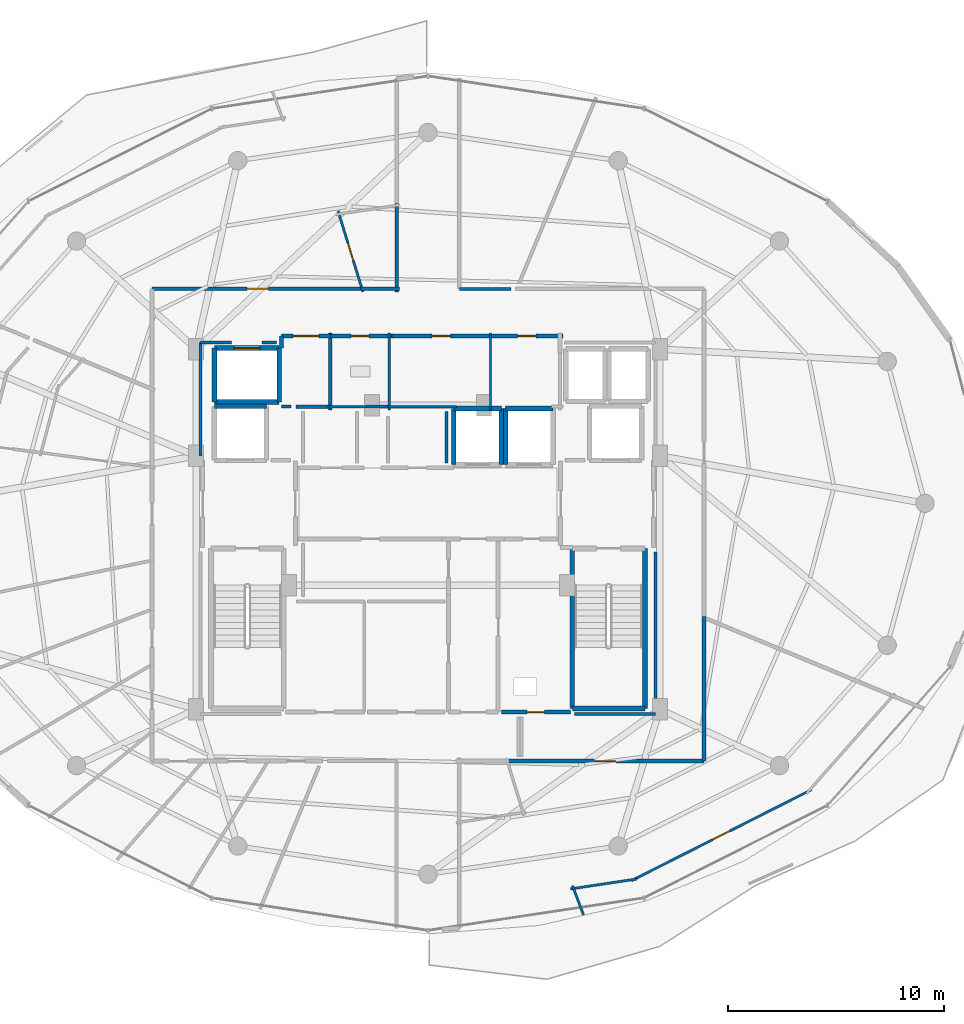
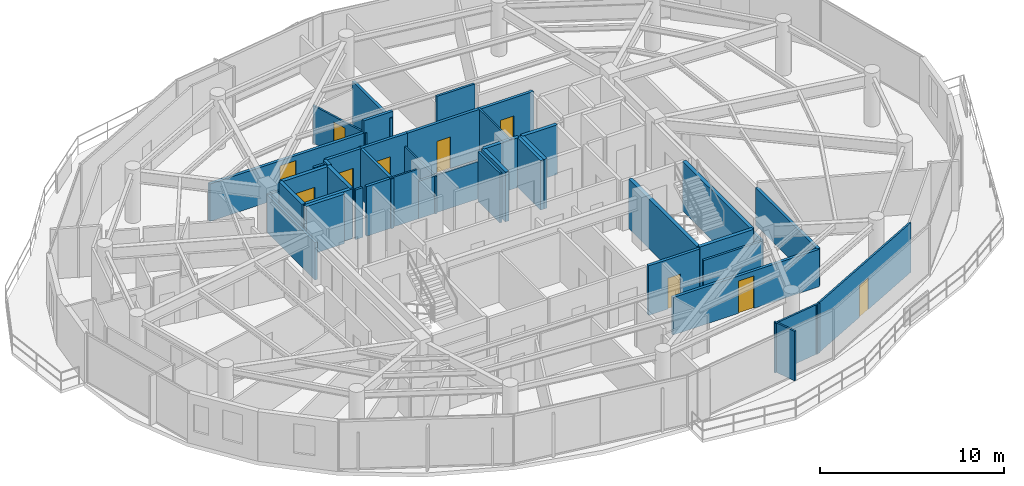
# One storey, part 24 of 30: 43 walls, 10 doors, 10 openings.
"""IFC4 building model written with IfcOpenShell, lengths in metres."""

from ifc_helpers import new_model, si_unit, direction, frame, frame_2d, origin, place, context, subcontext, project, spatial, rectangle, extrude, material, layer, layer_set, type_object, element, fill, save


model = new_model("IFC4")

# Units and contexts
model_context = context("Model", 3, precision=1e-05, world=origin(), true_north=direction((0.0, 1.0)))
body_context = subcontext(model_context, "Body", "Model", "MODEL_VIEW")
ifc_project = project(units=[si_unit("LENGTHUNIT", "METRE"), si_unit("AREAUNIT", "SQUARE_METRE"), si_unit("VOLUMEUNIT", "CUBIC_METRE"), si_unit("PLANEANGLEUNIT", "RADIAN"), si_unit("MASSUNIT", "GRAM", prefix="KILO")], contexts=[model_context])

# Site, building, storey
site_placement = place(None, origin())
site = spatial("IfcSite", under=ifc_project, at=site_placement, CompositionType="ELEMENT")
building_placement = place(site_placement, origin())
building = spatial("IfcBuilding", under=site, at=building_placement, Name="Vorneva Point Tower", CompositionType="ELEMENT")
storey_placement = place(building_placement, frame((0.0, 0.0, 234.25)))
storey = spatial("IfcBuildingStorey", under=building, at=storey_placement, Name="L63", CompositionType="ELEMENT", Elevation=234.25)

# Walls
ifc_material_1 = material(Name="Concrete B60 (C50/60)", Category="concrete")
ifc_layer_1 = layer(ifc_material_1, 0.35009765625)
ifc_layer_set_1 = layer_set([ifc_layer_1], Name="Concrete B60 (C50/60)")
wall_type_1 = type_object("IfcWallType", Name="WL-CORE-350", PredefinedType="SHEAR", material=ifc_layer_set_1)
wall_1_placement = place(storey_placement, frame((30.5, 30.5, 0.0), z_axis=(0.0, 0.0, 1.0), x_axis=(-1.0, 0.0, 0.0)))
element("IfcWall", 1, at=wall_1_placement, inside=storey, type_object=wall_type_1, Name="L63 Lift FFL1 Shaft Wall +Y", PredefinedType="SHEAR", context=body_context, shape_type="SweptSolid", body=[
    extrude(rectangle(XDim=2.39990234375, YDim=0.219970703125, at=frame_2d((1.199951171875, 0.0))), origin(), (0.0, 0.0, 1.0), 3.2900390625),
])
ifc_material_2 = material(Name="Fire-rated acoustic gypsum stud partition", Category="gypsum")
ifc_layer_2 = layer(ifc_material_2, 0.110107421875)
ifc_layer_set_2 = layer_set([ifc_layer_2], Name="Fire-rated acoustic gypsum stud partition")
wall_type_2 = type_object("IfcWallType", Name="WL-PART-110", PredefinedType="PARTITIONING", material=ifc_layer_set_2)
wall_2_placement = place(storey_placement, frame((36.199951171875, 30.340087890625, 0.0), z_axis=(0.0, 0.0, 1.0), x_axis=(0.0, 1.0, 0.0)))
element("IfcWall", 2, at=wall_2_placement, inside=storey, type_object=wall_type_2, Name="L63 Interior Partition 020", PredefinedType="PARTITIONING", context=body_context, shape_type="SweptSolid", body=[
    extrude(rectangle(XDim=3.559814453125, YDim=0.110107421875, at=frame_2d((1.77978515625, 0.0))), origin(), (0.0, 0.0, 1.0), 2.48193359375),
])
wall_3_placement = place(storey_placement, frame((33.360107421875, 30.47998046875, 0.0), z_axis=(0.0, 0.0, 1.0), x_axis=(1.0, 0.0, 0.0)))
element("IfcWall", 3, at=wall_3_placement, inside=storey, type_object=wall_type_2, Name="L63 Interior Partition 021", PredefinedType="PARTITIONING", context=body_context, shape_type="SweptSolid", body=[
    extrude(rectangle(XDim=1.809814453125, YDim=0.110107421875, at=frame_2d((0.90478515625, 0.0))), origin(), (0.0, 0.0, 1.0), 3.2900390625),
])
wall_4_placement = place(storey_placement, frame((40.89990234375, 30.340087890625, 0.0), z_axis=(0.0, 0.0, 1.0), x_axis=(0.0, 1.0, 0.0)))
element("IfcWall", 4, at=wall_4_placement, inside=storey, type_object=wall_type_2, Name="L63 Interior Partition 023", PredefinedType="PARTITIONING", context=body_context, shape_type="SweptSolid", body=[
    extrude(rectangle(XDim=3.559814453125, YDim=0.110107421875, at=frame_2d((1.77978515625, 0.0))), origin(), (0.0, 0.0, 1.0), 3.2900390625),
])
wall_5_placement = place(storey_placement, frame((36.110107421875, 30.47998046875, 0.0), z_axis=(0.0, 0.0, 1.0), x_axis=(1.0, 0.0, 0.0)))
element("IfcWall", 5, at=wall_5_placement, inside=storey, type_object=wall_type_2, Name="L63 Interior Partition 024", PredefinedType="PARTITIONING", context=body_context, shape_type="SweptSolid", body=[
    extrude(rectangle(XDim=3.2099609375, YDim=0.110107421875, at=frame_2d((1.60498046875, 0.0))), origin(), (0.0, 0.0, 1.0), 2.48193359375),
])

# Wall, opening, door
wall_6_placement = place(storey_placement, frame((34.980224609375, 35.816162109375, 0.0), z_axis=(0.0, 0.0, 1.0), x_axis=(-0.29406827714, 0.955784415221, 0.0)))
wall_6 = element("IfcWall", 6, at=wall_6_placement, inside=storey, type_object=wall_type_2, Name="L63 Interior Partition 056", PredefinedType="PARTITIONING", context=body_context, shape_type="SweptSolid", body=[
    extrude(rectangle(XDim=3.9052734375, YDim=0.110107421875, at=frame_2d((1.95263671875, 0.0))), origin(), (0.0, 0.0, 1.0), 2.48193359375),
])
opening_1_placement = place(wall_6_placement, frame((1.527587890625, 0.0, 0.0)))
opening_1 = element("IfcOpeningElement", 7, at=opening_1_placement, cuts=wall_6, Name="Opening ID-02", PredefinedType="OPENING", context=body_context, shape_type="SweptSolid", body=[
    extrude(rectangle(XDim=0.85009765625, YDim=2.10009765625, at=frame_2d((0.425048828125, 1.050048828125))), frame((0.0, 0.06982421875, 0.0), z_axis=(0.0, -1.0, 0.0), x_axis=(1.0, 0.0, 0.0)), (0.0, 0.0, 1.0), 0.139892578125),
])
ifc_material_3 = material(Name="Engineered oak fire-rated door leaf", Category="wood")
door_type_1 = type_object("IfcDoorType", Name="DR-BATH-850", OperationType="NOTDEFINED", PredefinedType="DOOR", material=ifc_material_3)
door_1_placement = place(opening_1_placement, origin())
door_1 = element("IfcDoor", 8, at=door_1_placement, inside=storey, type_object=door_type_1, Name="L63 Door Studio Apartment L63-01 / Bathroom L63-01", OperationType="SINGLE_SWING_LEFT", OverallHeight=2.10009765625, OverallWidth=0.85009765625, PredefinedType="DOOR", context=body_context, shape_type="SweptSolid", body=[
    extrude(rectangle(XDim=0.85009765625, YDim=2.10009765625, at=frame_2d((0.425048828125, 1.050048828125))), frame((0.0, 0.02490234375, 0.0), z_axis=(0.0, -1.0, 0.0), x_axis=(1.0, 0.0, 0.0)), (0.0, 0.0, 1.0), 0.050048828125),
])
fill(opening_1, door_1)

# Wall
wall_7_placement = place(storey_placement, frame((44.610595703125, 8.1181640625, 0.0), z_axis=(0.0, 0.0, 1.0), x_axis=(0.988858596585, 0.148857905265, 0.0)))
element("IfcWall", 9, at=wall_7_placement, inside=storey, type_object=wall_type_2, Name="L63 Interior Partition 087", PredefinedType="PARTITIONING", context=body_context, shape_type="SweptSolid", body=[
    extrude(rectangle(XDim=3.114501953125, YDim=0.110107421875, at=frame_2d((1.55712890625, 0.0))), origin(), (0.0, 0.0, 1.0), 3.2900390625),
])

# Wall, opening, door
wall_8_placement = place(storey_placement, frame((47.427001953125, 8.497802734375, 0.0), z_axis=(0.0, 0.0, 1.0), x_axis=(0.892502876412, 0.451041700507, 0.0)))
wall_8 = element("IfcWall", 10, at=wall_8_placement, inside=storey, type_object=wall_type_2, Name="L63 Interior Partition 088", PredefinedType="PARTITIONING", context=body_context, shape_type="SweptSolid", body=[
    extrude(rectangle(XDim=9.352294921875, YDim=0.110107421875, at=frame_2d((4.67626953125, 0.0))), origin(), (0.0, 0.0, 1.0), 3.2900390625),
])
opening_2_placement = place(wall_8_placement, frame((4.226318359375, 0.0, 0.0)))
opening_2 = element("IfcOpeningElement", 11, at=opening_2_placement, cuts=wall_8, Name="Opening ID-01", PredefinedType="OPENING", context=body_context, shape_type="SweptSolid", body=[
    extrude(rectangle(XDim=0.89990234375, YDim=2.10009765625, at=frame_2d((0.449951171875, 1.050048828125))), frame((0.0, 0.06982421875, 0.0), z_axis=(0.0, -1.0, 0.0), x_axis=(1.0, 0.0, 0.0)), (0.0, 0.0, 1.0), 0.139892578125),
])
door_type_2 = type_object("IfcDoorType", Name="DR-ROOM-900", OperationType="NOTDEFINED", PredefinedType="DOOR", material=ifc_material_3)
door_2_placement = place(opening_2_placement, origin())
door_2 = element("IfcDoor", 12, at=door_2_placement, inside=storey, type_object=door_type_2, Name="L63 Door Studio Apartment L63-03 / Kitchen L63-03", OperationType="SINGLE_SWING_LEFT", OverallHeight=2.10009765625, OverallWidth=0.89990234375, PredefinedType="DOOR", context=body_context, shape_type="SweptSolid", body=[
    extrude(rectangle(XDim=0.89990234375, YDim=2.10009765625, at=frame_2d((0.449951171875, 1.050048828125))), frame((0.0, 0.02490234375, 0.0), z_axis=(0.0, -1.0, 0.0), x_axis=(1.0, 0.0, 0.0)), (0.0, 0.0, 1.0), 0.050048828125),
])
fill(opening_2, door_2)

# Walls
wall_9_placement = place(storey_placement, frame((45.21337890625, 6.9111328125, 0.0), z_axis=(0.0, 0.0, 1.0), x_axis=(-0.353737146492, 0.935344872863, 0.0)))
element("IfcWall", 13, at=wall_9_placement, inside=storey, type_object=wall_type_2, Name="L63 Interior Partition 090", PredefinedType="PARTITIONING", context=body_context, shape_type="SweptSolid", body=[
    extrude(rectangle(XDim=1.452880859375, YDim=0.110107421875, at=frame_2d((0.7265625, 0.0))), origin(), (0.0, 0.0, 1.0), 3.2900390625),
])
ifc_layer_3 = layer(ifc_material_2, 0.139892578125)
ifc_layer_set_3 = layer_set([ifc_layer_3], Name="Fire-rated acoustic gypsum stud partition")
wall_type_3 = type_object("IfcWallType", Name="WL-PART-140", PredefinedType="PARTITIONING", material=ifc_layer_set_3)
wall_10_placement = place(storey_placement, frame((31.199951171875, 30.47998046875, 0.0), z_axis=(0.0, 0.0, 1.0), x_axis=(1.0, 0.0, 0.0)))
element("IfcWall", 14, at=wall_10_placement, inside=storey, type_object=wall_type_3, Name="L63 Interior Closure Partition 095", PredefinedType="PARTITIONING", context=body_context, shape_type="SweptSolid", body=[
    extrude(rectangle(XDim=0.449951171875, YDim=0.139892578125, at=frame_2d((0.22509765625, 0.0))), origin(), (0.0, 0.0, 1.0), 3.2900390625),
])
wall_11_placement = place(storey_placement, frame((35.139892578125, 30.47998046875, 0.0), z_axis=(0.0, 0.0, 1.0), x_axis=(1.0, 0.0, 0.0)))
element("IfcWall", 15, at=wall_11_placement, inside=storey, type_object=wall_type_3, Name="L63 Interior Closure Partition 096", PredefinedType="PARTITIONING", context=body_context, shape_type="SweptSolid", body=[
    extrude(rectangle(XDim=1.0, YDim=0.139892578125, at=frame_2d((0.5, 0.0))), origin(), (0.0, 0.0, 1.0), 2.48193359375),
])
wall_12_placement = place(storey_placement, frame((38.85009765625, 27.8701171875, 0.0), z_axis=(0.0, 0.0, 1.0), x_axis=(0.0, 1.0, 0.0)))
element("IfcWall", 16, at=wall_12_placement, inside=storey, type_object=wall_type_3, Name="L63 Interior Closure Partition 102", PredefinedType="PARTITIONING", context=body_context, shape_type="SweptSolid", body=[
    extrude(rectangle(XDim=2.389892578125, YDim=0.139892578125, at=frame_2d((1.19482421875, 0.0))), origin(), (0.0, 0.0, 1.0), 3.2900390625),
])
wall_13_placement = place(storey_placement, frame((41.841064453125, 35.949951171875, 0.0), z_axis=(0.0, 0.0, 1.0), x_axis=(-1.0, 0.0, 0.0)))
element("IfcWall", 17, at=wall_13_placement, inside=storey, type_object=wall_type_3, Name="L63 Interior Closure Partition 106", PredefinedType="PARTITIONING", context=body_context, shape_type="SweptSolid", body=[
    extrude(rectangle(XDim=2.39111328125, YDim=0.139892578125, at=frame_2d((1.195556640625, 0.0))), origin(), (0.0, 0.0, 1.0), 3.2900390625),
])
wall_14_placement = place(storey_placement, frame((44.804931640625, 16.239990234375, 0.0), z_axis=(0.0, 0.0, 1.0), x_axis=(1.0, 0.0, 0.0)))
element("IfcWall", 18, at=wall_14_placement, inside=storey, type_object=wall_type_3, Name="L63 Interior Closure Partition 109", PredefinedType="PARTITIONING", context=body_context, shape_type="SweptSolid", body=[
    extrude(rectangle(XDim=3.7451171875, YDim=0.139892578125, at=frame_2d((1.87255859375, 0.0))), origin(), (0.0, 0.0, 1.0), 2.48193359375),
])
wall_15_placement = place(storey_placement, frame((48.550048828125, 16.239990234375, 0.0), z_axis=(0.0, 0.0, 1.0), x_axis=(0.0, 1.0, 0.0)))
element("IfcWall", 19, at=wall_15_placement, inside=storey, type_object=wall_type_3, Name="L63 Interior Closure Partition 110", PredefinedType="PARTITIONING", context=body_context, shape_type="SweptSolid", body=[
    extrude(rectangle(XDim=7.513916015625, YDim=0.139892578125, at=frame_2d((3.7568359375, 0.0))), origin(), (0.0, 0.0, 1.0), 2.48193359375),
])
wall_16_placement = place(storey_placement, frame((30.97998046875, 33.449951171875, 0.0), z_axis=(0.0, 0.0, 1.0), x_axis=(-1.0, 0.0, 0.0)))
element("IfcWall", 20, at=wall_16_placement, inside=storey, type_object=wall_type_3, Name="L63 Interior Closure Partition 113", PredefinedType="PARTITIONING", context=body_context, shape_type="SweptSolid", body=[
    extrude(rectangle(XDim=0.674072265625, YDim=0.139892578125, at=frame_2d((0.3369140625, 0.0))), origin(), (0.0, 0.0, 1.0), 3.2900390625),
])
wall_17_placement = place(storey_placement, frame((28.89404296875, 33.449951171875, 0.0), z_axis=(0.0, 0.0, 1.0), x_axis=(-1.0, 0.0, 0.0)))
element("IfcWall", 21, at=wall_17_placement, inside=storey, type_object=wall_type_3, Name="L63 Interior Closure Partition 114", PredefinedType="PARTITIONING", context=body_context, shape_type="SweptSolid", body=[
    extrude(rectangle(XDim=1.444091796875, YDim=0.139892578125, at=frame_2d((0.72216796875, 0.0))), origin(), (0.0, 0.0, 1.0), 2.48193359375),
])
wall_18_placement = place(storey_placement, frame((27.449951171875, 33.449951171875, 0.0), z_axis=(0.0, 0.0, 1.0), x_axis=(0.0, -1.0, 0.0)))
element("IfcWall", 22, at=wall_18_placement, inside=storey, type_object=wall_type_3, Name="L63 Interior Closure Partition 115", PredefinedType="PARTITIONING", context=body_context, shape_type="SweptSolid", body=[
    extrude(rectangle(XDim=5.25390625, YDim=0.139892578125, at=frame_2d((2.626953125, 0.0))), origin(), (0.0, 0.0, 1.0), 2.48193359375),
])
ifc_material_4 = material(Name="Autoclaved aerated concrete blockwork", Category="masonry")
ifc_layer_4 = layer(ifc_material_4, 0.179931640625)
ifc_layer_set_4 = layer_set([ifc_layer_4], Name="Autoclaved aerated concrete blockwork")
wall_type_4 = type_object("IfcWallType", Name="WL-PART-180", PredefinedType="PARTITIONING", material=ifc_layer_set_4)
wall_19_placement = place(storey_placement, frame((33.469970703125, 30.340087890625, 0.0), z_axis=(0.0, 0.0, 1.0), x_axis=(0.0, 1.0, 0.0)))
element("IfcWall", 23, at=wall_19_placement, inside=storey, type_object=wall_type_4, Name="L63 Interior Partition 006", PredefinedType="PARTITIONING", context=body_context, shape_type="SweptSolid", body=[
    extrude(rectangle(XDim=3.559814453125, YDim=0.179931640625, at=frame_2d((1.77978515625, 0.0))), origin(), (0.0, 0.0, 1.0), 3.2900390625),
])
wall_20_placement = place(storey_placement, frame((31.8701171875, 30.47998046875, 0.0), z_axis=(0.0, 0.0, 1.0), x_axis=(1.0, 0.0, 0.0)))
element("IfcWall", 24, at=wall_20_placement, inside=storey, type_object=wall_type_4, Name="L63 Interior Partition 007", PredefinedType="PARTITIONING", context=body_context, shape_type="SweptSolid", body=[
    extrude(rectangle(XDim=1.599853515625, YDim=0.179931640625, at=frame_2d((0.7998046875, 0.0))), origin(), (0.0, 0.0, 1.0), 3.2900390625),
])

# Wall, opening, door
wall_21_placement = place(storey_placement, frame((33.469970703125, 33.760009765625, 0.0), z_axis=(0.0, 0.0, 1.0), x_axis=(-1.0, 0.0, 0.0)))
wall_21 = element("IfcWall", 25, at=wall_21_placement, inside=storey, type_object=wall_type_4, Name="L63 Interior Partition 008", PredefinedType="PARTITIONING", context=body_context, shape_type="SweptSolid", body=[
    extrude(rectangle(XDim=2.27001953125, YDim=0.179931640625, at=frame_2d((1.135009765625, 0.0))), origin(), (0.0, 0.0, 1.0), 3.2900390625),
])
opening_3_placement = place(wall_21_placement, frame((0.534912109375, 0.0, 0.0)))
opening_3 = element("IfcOpeningElement", 26, at=opening_3_placement, cuts=wall_21, Name="Opening FD-02", PredefinedType="OPENING", context=body_context, shape_type="SweptSolid", body=[
    extrude(rectangle(XDim=1.199951171875, YDim=2.14990234375, at=frame_2d((0.60009765625, 1.074951171875))), frame((0.0, 0.10498046875, 0.0), z_axis=(0.0, -1.0, 0.0), x_axis=(1.0, 0.0, 0.0)), (0.0, 0.0, 1.0), 0.209716796875),
])
ifc_material_5 = material(Name="Fire-rated powder-coated steel", Category="steel")
door_type_3 = type_object("IfcDoorType", Name="DR-FFL-1200", OperationType="NOTDEFINED", PredefinedType="DOOR", material=ifc_material_5)
door_3_placement = place(opening_3_placement, origin())
door_3 = element("IfcDoor", 27, at=door_3_placement, inside=storey, type_object=door_type_3, Name="L63 Door Service Lift Lobby / L63 Circulation Corridor", OperationType="SINGLE_SWING_LEFT", OverallHeight=2.14990234375, OverallWidth=1.199951171875, PredefinedType="DOOR", context=body_context, shape_type="SweptSolid", body=[
    extrude(rectangle(XDim=1.199951171875, YDim=2.14990234375, at=frame_2d((0.60009765625, 1.074951171875))), frame((0.0, 0.02490234375, 0.0), z_axis=(0.0, -1.0, 0.0), x_axis=(1.0, 0.0, 0.0)), (0.0, 0.0, 1.0), 0.050048828125),
])
fill(opening_3, door_3)

# Wall
wall_22_placement = place(storey_placement, frame((31.199951171875, 33.760009765625, 0.0), z_axis=(0.0, 0.0, 1.0), x_axis=(0.0, -1.0, 0.0)))
element("IfcWall", 28, at=wall_22_placement, inside=storey, type_object=wall_type_4, Name="L63 Interior Partition 009", PredefinedType="PARTITIONING", context=body_context, shape_type="SweptSolid", body=[
    extrude(rectangle(XDim=0.56005859375, YDim=0.179931640625, at=frame_2d((0.280029296875, 0.0))), origin(), (0.0, 0.0, 1.0), 3.2900390625),
])

# Wall, opening, door
wall_23_placement = place(storey_placement, frame((41.39990234375, 16.320068359375, 0.0), z_axis=(0.0, 0.0, 1.0), x_axis=(1.0, 0.0, 0.0)))
wall_23 = element("IfcWall", 29, at=wall_23_placement, inside=storey, type_object=wall_type_4, Name="L63 Interior Partition 019", PredefinedType="PARTITIONING", context=body_context, shape_type="SweptSolid", body=[
    extrude(rectangle(XDim=3.2001953125, YDim=0.179931640625, at=frame_2d((1.60009765625, 0.0))), origin(), (0.0, 0.0, 1.0), 3.2900390625),
])
opening_4_placement = place(wall_23_placement, frame((1.199951171875, 0.0, 0.0)))
opening_4 = element("IfcOpeningElement", 30, at=opening_4_placement, cuts=wall_23, Name="Opening RD-01", PredefinedType="OPENING", context=body_context, shape_type="SweptSolid", body=[
    extrude(rectangle(XDim=0.800048828125, YDim=2.050048828125, at=frame_2d((0.39990234375, 1.02490234375))), frame((0.0, 0.10498046875, 0.0), z_axis=(0.0, -1.0, 0.0), x_axis=(1.0, 0.0, 0.0)), (0.0, 0.0, 1.0), 0.209716796875),
])
door_type_4 = type_object("IfcDoorType", Name="DR-RSR-800", OperationType="SINGLE_SWING_LEFT", PredefinedType="DOOR", material=ifc_material_5)
door_4_placement = place(opening_4_placement, origin())
door_4 = element("IfcDoor", 31, at=door_4_placement, inside=storey, type_object=door_type_4, Name="L63 Door Electrical Riser / L63 Circulation Corridor", OperationType="SINGLE_SWING_LEFT", OverallHeight=2.050048828125, OverallWidth=0.800048828125, PredefinedType="DOOR", context=body_context, shape_type="SweptSolid", body=[
    extrude(rectangle(XDim=0.800048828125, YDim=2.050048828125, at=frame_2d((0.39990234375, 1.02490234375))), frame((0.0, 0.02490234375, 0.0), z_axis=(0.0, -1.0, 0.0), x_axis=(1.0, 0.0, 0.0)), (0.0, 0.0, 1.0), 0.050048828125),
])
fill(opening_4, door_4)

wall_24_placement = place(storey_placement, frame((36.340087890625, 33.760009765625, 0.0), z_axis=(0.0, 0.0, 1.0), x_axis=(-1.0, 0.0, 0.0)))
wall_24 = element("IfcWall", 32, at=wall_24_placement, inside=storey, type_object=wall_type_4, Name="L63 Interior Partition 022", PredefinedType="PARTITIONING", context=body_context, shape_type="SweptSolid", body=[
    extrude(rectangle(XDim=2.97998046875, YDim=0.179931640625, at=frame_2d((1.489990234375, 0.0))), origin(), (0.0, 0.0, 1.0), 3.2900390625),
])
opening_5_placement = place(wall_24_placement, frame((1.06494140625, 0.0, 0.0)))
opening_5 = element("IfcOpeningElement", 33, at=opening_5_placement, cuts=wall_24, Name="Opening ID-02", PredefinedType="OPENING", context=body_context, shape_type="SweptSolid", body=[
    extrude(rectangle(XDim=0.85009765625, YDim=2.10009765625, at=frame_2d((0.425048828125, 1.050048828125))), frame((0.0, 0.10498046875, 0.0), z_axis=(0.0, -1.0, 0.0), x_axis=(1.0, 0.0, 0.0)), (0.0, 0.0, 1.0), 0.209716796875),
])
door_5_placement = place(opening_5_placement, origin())
door_5 = element("IfcDoor", 34, at=door_5_placement, inside=storey, type_object=door_type_1, Name="L63 Door Public Male WC / L63 Circulation Corridor", OperationType="SINGLE_SWING_RIGHT", OverallHeight=2.10009765625, OverallWidth=0.85009765625, PredefinedType="DOOR", context=body_context, shape_type="SweptSolid", body=[
    extrude(rectangle(XDim=0.85009765625, YDim=2.10009765625, at=frame_2d((0.425048828125, 1.050048828125))), frame((0.0, 0.02490234375, 0.0), z_axis=(0.0, -1.0, 0.0), x_axis=(1.0, 0.0, 0.0)), (0.0, 0.0, 1.0), 0.050048828125),
])
fill(opening_5, door_5)

wall_25_placement = place(storey_placement, frame((41.0400390625, 33.760009765625, 0.0), z_axis=(0.0, 0.0, 1.0), x_axis=(-1.0, 0.0, 0.0)))
wall_25 = element("IfcWall", 35, at=wall_25_placement, inside=storey, type_object=wall_type_4, Name="L63 Interior Partition 025", PredefinedType="PARTITIONING", context=body_context, shape_type="SweptSolid", body=[
    extrude(rectangle(XDim=4.840087890625, YDim=0.179931640625, at=frame_2d((2.419921875, 0.0))), origin(), (0.0, 0.0, 1.0), 3.2900390625),
])
opening_6_placement = place(wall_25_placement, frame((1.9951171875, 0.0, 0.0)))
opening_6 = element("IfcOpeningElement", 36, at=opening_6_placement, cuts=wall_25, Name="Opening ID-02", PredefinedType="OPENING", context=body_context, shape_type="SweptSolid", body=[
    extrude(rectangle(XDim=0.85009765625, YDim=2.10009765625, at=frame_2d((0.425048828125, 1.050048828125))), frame((0.0, 0.10498046875, 0.0), z_axis=(0.0, -1.0, 0.0), x_axis=(1.0, 0.0, 0.0)), (0.0, 0.0, 1.0), 0.209716796875),
])
door_6_placement = place(opening_6_placement, origin())
door_6 = element("IfcDoor", 37, at=door_6_placement, inside=storey, type_object=door_type_1, Name="L63 Door Public Female WC / L63 Circulation Corridor", OperationType="SINGLE_SWING_LEFT", OverallHeight=2.10009765625, OverallWidth=0.85009765625, PredefinedType="DOOR", context=body_context, shape_type="SweptSolid", body=[
    extrude(rectangle(XDim=0.85009765625, YDim=2.10009765625, at=frame_2d((0.425048828125, 1.050048828125))), frame((0.0, 0.02490234375, 0.0), z_axis=(0.0, -1.0, 0.0), x_axis=(1.0, 0.0, 0.0)), (0.0, 0.0, 1.0), 0.050048828125),
])
fill(opening_6, door_6)

wall_26_placement = place(storey_placement, frame((44.260009765625, 33.760009765625, 0.0), z_axis=(0.0, 0.0, 1.0), x_axis=(-1.0, 0.0, 0.0)))
wall_26 = element("IfcWall", 38, at=wall_26_placement, inside=storey, type_object=wall_type_4, Name="L63 Interior Partition 026", PredefinedType="PARTITIONING", context=body_context, shape_type="SweptSolid", body=[
    extrude(rectangle(XDim=3.360107421875, YDim=0.179931640625, at=frame_2d((1.68017578125, 0.0))), origin(), (0.0, 0.0, 1.0), 3.2900390625),
])
opening_7_placement = place(wall_26_placement, frame((1.2548828125, 0.0, 0.0)))
opening_7 = element("IfcOpeningElement", 39, at=opening_7_placement, cuts=wall_26, Name="Opening ID-02", PredefinedType="OPENING", context=body_context, shape_type="SweptSolid", body=[
    extrude(rectangle(XDim=0.85009765625, YDim=2.10009765625, at=frame_2d((0.425048828125, 1.050048828125))), frame((0.0, 0.10498046875, 0.0), z_axis=(0.0, -1.0, 0.0), x_axis=(1.0, 0.0, 0.0)), (0.0, 0.0, 1.0), 0.209716796875),
])
door_7_placement = place(opening_7_placement, origin())
door_7 = element("IfcDoor", 40, at=door_7_placement, inside=storey, type_object=door_type_1, Name="L63 Door Accessible WC / L63 Circulation Corridor", OperationType="SINGLE_SWING_RIGHT", OverallHeight=2.10009765625, OverallWidth=0.85009765625, PredefinedType="DOOR", context=body_context, shape_type="SweptSolid", body=[
    extrude(rectangle(XDim=0.85009765625, YDim=2.10009765625, at=frame_2d((0.425048828125, 1.050048828125))), frame((0.0, 0.02490234375, 0.0), z_axis=(0.0, -1.0, 0.0), x_axis=(1.0, 0.0, 0.0)), (0.0, 0.0, 1.0), 0.050048828125),
])
fill(opening_7, door_7)

wall_27_placement = place(storey_placement, frame((34.9990234375, 35.949951171875, 0.0), z_axis=(0.0, 0.0, 1.0), x_axis=(-1.0, 0.0, 0.0)))
wall_27 = element("IfcWall", 41, at=wall_27_placement, inside=storey, type_object=wall_type_4, Name="L63 Interior Partition 035", PredefinedType="PARTITIONING", context=body_context, shape_type="SweptSolid", body=[
    extrude(rectangle(XDim=9.799072265625, YDim=0.179931640625, at=frame_2d((4.8994140625, 0.0))), origin(), (0.0, 0.0, 1.0), 2.48193359375),
])
opening_8_placement = place(wall_27_placement, frame((4.3994140625, 0.0, 0.0)))
opening_8 = element("IfcOpeningElement", 42, at=opening_8_placement, cuts=wall_27, Name="Opening UD-01", PredefinedType="OPENING", context=body_context, shape_type="SweptSolid", body=[
    extrude(rectangle(XDim=1.0, YDim=2.14990234375, at=frame_2d((0.5, 1.074951171875))), frame((0.0, 0.10498046875, 0.0), z_axis=(0.0, -1.0, 0.0), x_axis=(1.0, 0.0, 0.0)), (0.0, 0.0, 1.0), 0.209716796875),
])
door_type_5 = type_object("IfcDoorType", Name="DR-UNIT-1000", OperationType="NOTDEFINED", PredefinedType="DOOR", material=ifc_material_3)
door_8_placement = place(opening_8_placement, origin())
door_8 = element("IfcDoor", 43, at=door_8_placement, inside=storey, type_object=door_type_5, Name="L63 Door L63 Circulation Corridor / Studio Apartment L63-01", OperationType="SINGLE_SWING_LEFT", OverallHeight=2.14990234375, OverallWidth=1.0, PredefinedType="DOOR", context=body_context, shape_type="SweptSolid", body=[
    extrude(rectangle(XDim=1.0, YDim=2.14990234375, at=frame_2d((0.5, 1.074951171875))), frame((0.0, 0.02490234375, 0.0), z_axis=(0.0, -1.0, 0.0), x_axis=(1.0, 0.0, 0.0)), (0.0, 0.0, 1.0), 0.050048828125),
])
fill(opening_8, door_8)

# Walls
wall_28_placement = place(storey_placement, frame((36.550048828125, 39.89697265625, 0.0), z_axis=(0.0, 0.0, 1.0), x_axis=(0.0, -1.0, 0.0)))
element("IfcWall", 44, at=wall_28_placement, inside=storey, type_object=wall_type_4, Name="L63 Interior Partition 037", PredefinedType="PARTITIONING", context=body_context, shape_type="SweptSolid", body=[
    extrude(rectangle(XDim=4.0869140625, YDim=0.179931640625, at=frame_2d((2.04345703125, 0.0))), origin(), (0.0, 0.0, 1.0), 2.924072265625),
])
wall_29_placement = place(storey_placement, frame((36.68994140625, 35.949951171875, 0.0), z_axis=(0.0, 0.0, 1.0), x_axis=(-1.0, 0.0, 0.0)))
element("IfcWall", 45, at=wall_29_placement, inside=storey, type_object=wall_type_4, Name="L63 Interior Partition 038", PredefinedType="PARTITIONING", context=body_context, shape_type="SweptSolid", body=[
    extrude(rectangle(XDim=1.8310546875, YDim=0.179931640625, at=frame_2d((0.91552734375, 0.0))), origin(), (0.0, 0.0, 1.0), 3.2900390625),
])

# Wall, opening, door
wall_30_placement = place(storey_placement, frame((41.615966796875, 14.050048828125, 0.0), z_axis=(0.0, 0.0, 1.0), x_axis=(1.0, 0.0, 0.0)))
wall_30 = element("IfcWall", 46, at=wall_30_placement, inside=storey, type_object=wall_type_4, Name="L63 Interior Partition 050", PredefinedType="PARTITIONING", context=body_context, shape_type="SweptSolid", body=[
    extrude(rectangle(XDim=9.18408203125, YDim=0.179931640625, at=frame_2d((4.592041015625, 0.0))), origin(), (0.0, 0.0, 1.0), 2.48193359375),
])
opening_9_placement = place(wall_30_placement, frame((4.092041015625, 0.0, 0.0)))
opening_9 = element("IfcOpeningElement", 47, at=opening_9_placement, cuts=wall_30, Name="Opening UD-01", PredefinedType="OPENING", context=body_context, shape_type="SweptSolid", body=[
    extrude(rectangle(XDim=1.0, YDim=2.14990234375, at=frame_2d((0.5, 1.074951171875))), frame((0.0, 0.10498046875, 0.0), z_axis=(0.0, -1.0, 0.0), x_axis=(1.0, 0.0, 0.0)), (0.0, 0.0, 1.0), 0.209716796875),
])
door_9_placement = place(opening_9_placement, origin())
door_9 = element("IfcDoor", 48, at=door_9_placement, inside=storey, type_object=door_type_5, Name="L63 Door L63 Circulation Corridor / Studio Apartment L63-03", OperationType="SINGLE_SWING_LEFT", OverallHeight=2.14990234375, OverallWidth=1.0, PredefinedType="DOOR", context=body_context, shape_type="SweptSolid", body=[
    extrude(rectangle(XDim=1.0, YDim=2.14990234375, at=frame_2d((0.5, 1.074951171875))), frame((0.0, 0.02490234375, 0.0), z_axis=(0.0, -1.0, 0.0), x_axis=(1.0, 0.0, 0.0)), (0.0, 0.0, 1.0), 0.050048828125),
])
fill(opening_9, door_9)

# Walls
wall_31_placement = place(storey_placement, frame((50.800048828125, 14.050048828125, 0.0), z_axis=(0.0, 0.0, 1.0), x_axis=(0.0, 1.0, 0.0)))
element("IfcWall", 49, at=wall_31_placement, inside=storey, type_object=wall_type_4, Name="L63 Interior Partition 051", PredefinedType="PARTITIONING", context=body_context, shape_type="SweptSolid", body=[
    extrude(rectangle(XDim=6.7080078125, YDim=0.179931640625, at=frame_2d((3.35400390625, 0.0))), origin(), (0.0, 0.0, 1.0), 2.48193359375),
])
ifc_material_6 = material(Name="Concrete B50 (C40/50)", Category="concrete")
ifc_layer_5 = layer(ifc_material_6, 0.219970703125)
ifc_layer_set_5 = layer_set([ifc_layer_5], Name="Concrete B50 (C40/50)")
wall_type_5 = type_object("IfcWallType", Name="WL-SHFT-220", PredefinedType="SOLIDWALL", material=ifc_layer_set_5)
wall_32_placement = place(storey_placement, frame((48.06005859375, 23.909912109375, 0.0), z_axis=(0.0, 0.0, 1.0), x_axis=(0.0, -1.0, 0.0)))
element("IfcWall", 50, at=wall_32_placement, inside=storey, type_object=wall_type_5, Name="L63 Exit Stair ST2 Shaft Wall right", PredefinedType="SOLIDWALL", context=body_context, shape_type="SweptSolid", body=[
    extrude(rectangle(XDim=7.419921875, YDim=0.219970703125, at=frame_2d((3.7099609375, 0.0))), origin(), (0.0, 0.0, 1.0), 3.2900390625),
])
wall_33_placement = place(storey_placement, frame((48.06005859375, 16.489990234375, 0.0), z_axis=(0.0, 0.0, 1.0), x_axis=(-1.0, 0.0, 0.0)))
element("IfcWall", 51, at=wall_33_placement, inside=storey, type_object=wall_type_5, Name="L63 Exit Stair ST2 Shaft Wall far", PredefinedType="SOLIDWALL", context=body_context, shape_type="SweptSolid", body=[
    extrude(rectangle(XDim=3.3701171875, YDim=0.219970703125, at=frame_2d((1.68505859375, 0.0))), origin(), (0.0, 0.0, 1.0), 3.2900390625),
])
wall_34_placement = place(storey_placement, frame((44.68994140625, 16.489990234375, 0.0), z_axis=(0.0, 0.0, 1.0), x_axis=(0.0, 1.0, 0.0)))
element("IfcWall", 52, at=wall_34_placement, inside=storey, type_object=wall_type_5, Name="L63 Exit Stair ST2 Shaft Wall left", PredefinedType="SOLIDWALL", context=body_context, shape_type="SweptSolid", body=[
    extrude(rectangle(XDim=7.419921875, YDim=0.219970703125, at=frame_2d((3.7099609375, 0.0))), origin(), (0.0, 0.0, 1.0), 3.2900390625),
])
wall_35_placement = place(storey_placement, frame((41.39990234375, 27.800048828125, 0.0), z_axis=(0.0, 0.0, 1.0), x_axis=(0.0, 1.0, 0.0)))
element("IfcWall", 53, at=wall_35_placement, inside=storey, type_object=wall_type_5, Name="L63 Lift PL7 Shaft Wall +X", PredefinedType="SOLIDWALL", context=body_context, shape_type="SweptSolid", body=[
    extrude(rectangle(XDim=2.599853515625, YDim=0.219970703125, at=frame_2d((1.2998046875, 0.0))), origin(), (0.0, 0.0, 1.0), 3.2900390625),
])
wall_36_placement = place(storey_placement, frame((41.39990234375, 30.39990234375, 0.0), z_axis=(0.0, 0.0, 1.0), x_axis=(-1.0, 0.0, 0.0)))
element("IfcWall", 54, at=wall_36_placement, inside=storey, type_object=wall_type_5, Name="L63 Lift PL7 Shaft Wall +Y", PredefinedType="SOLIDWALL", context=body_context, shape_type="SweptSolid", body=[
    extrude(rectangle(XDim=2.199951171875, YDim=0.219970703125, at=frame_2d((1.10009765625, 0.0))), origin(), (0.0, 0.0, 1.0), 3.2900390625),
])
wall_37_placement = place(storey_placement, frame((39.199951171875, 30.39990234375, 0.0), z_axis=(0.0, 0.0, 1.0), x_axis=(0.0, -1.0, 0.0)))
element("IfcWall", 55, at=wall_37_placement, inside=storey, type_object=wall_type_5, Name="L63 Lift PL7 Shaft Wall -X", PredefinedType="SOLIDWALL", context=body_context, shape_type="SweptSolid", body=[
    extrude(rectangle(XDim=2.599853515625, YDim=0.219970703125, at=frame_2d((1.2998046875, 0.0))), origin(), (0.0, 0.0, 1.0), 3.2900390625),
])
wall_38_placement = place(storey_placement, frame((43.800048828125, 30.39990234375, 0.0), z_axis=(0.0, 0.0, 1.0), x_axis=(-1.0, 0.0, 0.0)))
element("IfcWall", 56, at=wall_38_placement, inside=storey, type_object=wall_type_5, Name="L63 Lift PL8 Shaft Wall +Y", PredefinedType="SOLIDWALL", context=body_context, shape_type="SweptSolid", body=[
    extrude(rectangle(XDim=2.199951171875, YDim=0.219970703125, at=frame_2d((1.10009765625, 0.0))), origin(), (0.0, 0.0, 1.0), 3.2900390625),
])
wall_39_placement = place(storey_placement, frame((41.60009765625, 30.39990234375, 0.0), z_axis=(0.0, 0.0, 1.0), x_axis=(0.0, -1.0, 0.0)))
element("IfcWall", 57, at=wall_39_placement, inside=storey, type_object=wall_type_5, Name="L63 Lift PL8 Shaft Wall -X", PredefinedType="SOLIDWALL", context=body_context, shape_type="SweptSolid", body=[
    extrude(rectangle(XDim=2.599853515625, YDim=0.219970703125, at=frame_2d((1.2998046875, 0.0))), origin(), (0.0, 0.0, 1.0), 3.2900390625),
])
wall_40_placement = place(storey_placement, frame((28.10009765625, 30.699951171875, 0.0), z_axis=(0.0, 0.0, 1.0), x_axis=(1.0, 0.0, 0.0)))
element("IfcWall", 58, at=wall_40_placement, inside=storey, type_object=wall_type_5, Name="L63 Lift SVL1 Shaft Wall -Y", PredefinedType="SOLIDWALL", context=body_context, shape_type="SweptSolid", body=[
    extrude(rectangle(XDim=3.0, YDim=0.219970703125, at=frame_2d((1.5, 0.0))), origin(), (0.0, 0.0, 1.0), 3.2900390625),
])
wall_41_placement = place(storey_placement, frame((31.10009765625, 30.699951171875, 0.0), z_axis=(0.0, 0.0, 1.0), x_axis=(0.0, 1.0, 0.0)))
element("IfcWall", 59, at=wall_41_placement, inside=storey, type_object=wall_type_5, Name="L63 Lift SVL1 Shaft Wall +X", PredefinedType="SOLIDWALL", context=body_context, shape_type="SweptSolid", body=[
    extrude(rectangle(XDim=2.5, YDim=0.219970703125, at=frame_2d((1.25, 0.0))), origin(), (0.0, 0.0, 1.0), 3.2900390625),
])

# Wall, opening, door
wall_42_placement = place(storey_placement, frame((31.10009765625, 33.199951171875, 0.0), z_axis=(0.0, 0.0, 1.0), x_axis=(-1.0, 0.0, 0.0)))
wall_42 = element("IfcWall", 60, at=wall_42_placement, inside=storey, type_object=wall_type_5, Name="L63 Lift SVL1 Shaft Wall +Y", PredefinedType="SOLIDWALL", context=body_context, shape_type="SweptSolid", body=[
    extrude(rectangle(XDim=3.0, YDim=0.219970703125, at=frame_2d((1.5, 0.0))), origin(), (0.0, 0.0, 1.0), 3.2900390625),
])
opening_10_placement = place(wall_42_placement, frame((0.89990234375, 0.0, 0.0)))
opening_10 = element("IfcOpeningElement", 61, at=opening_10_placement, cuts=wall_42, Name="Opening LD-02", PredefinedType="OPENING", context=body_context, shape_type="SweptSolid", body=[
    extrude(rectangle(XDim=1.199951171875, YDim=2.199951171875, at=frame_2d((0.60009765625, 1.10009765625))), frame((0.0, 0.125, 0.0), z_axis=(0.0, -1.0, 0.0), x_axis=(1.0, 0.0, 0.0)), (0.0, 0.0, 1.0), 0.249755859375),
])
ifc_material_7 = material(Name="Brushed stainless steel S304", Category="steel")
door_type_6 = type_object("IfcDoorType", Name="LD-FIRE-1200", OperationType="SLIDING_TO_LEFT", PredefinedType="DOOR", material=ifc_material_7)
door_10_placement = place(opening_10_placement, origin())
door_10 = element("IfcDoor", 62, at=door_10_placement, inside=storey, type_object=door_type_6, Name="L63 Lift SVL1 Sliding Landing Door", OperationType="SLIDING_TO_LEFT", OverallHeight=2.199951171875, OverallWidth=1.199951171875, PredefinedType="DOOR", context=body_context, shape_type="SweptSolid", body=[
    extrude(rectangle(XDim=1.199951171875, YDim=2.199951171875, at=frame_2d((0.60009765625, 1.10009765625))), frame((0.0, 0.02490234375, 0.0), z_axis=(0.0, -1.0, 0.0), x_axis=(1.0, 0.0, 0.0)), (0.0, 0.0, 1.0), 0.050048828125),
])
fill(opening_10, door_10)

# Wall
wall_43_placement = place(storey_placement, frame((28.10009765625, 33.199951171875, 0.0), z_axis=(0.0, 0.0, 1.0), x_axis=(0.0, -1.0, 0.0)))
element("IfcWall", 63, at=wall_43_placement, inside=storey, type_object=wall_type_5, Name="L63 Lift SVL1 Shaft Wall -X", PredefinedType="SOLIDWALL", context=body_context, shape_type="SweptSolid", body=[
    extrude(rectangle(XDim=2.5, YDim=0.219970703125, at=frame_2d((1.25, 0.0))), origin(), (0.0, 0.0, 1.0), 3.2900390625),
])

save(model, "model.ifc")
